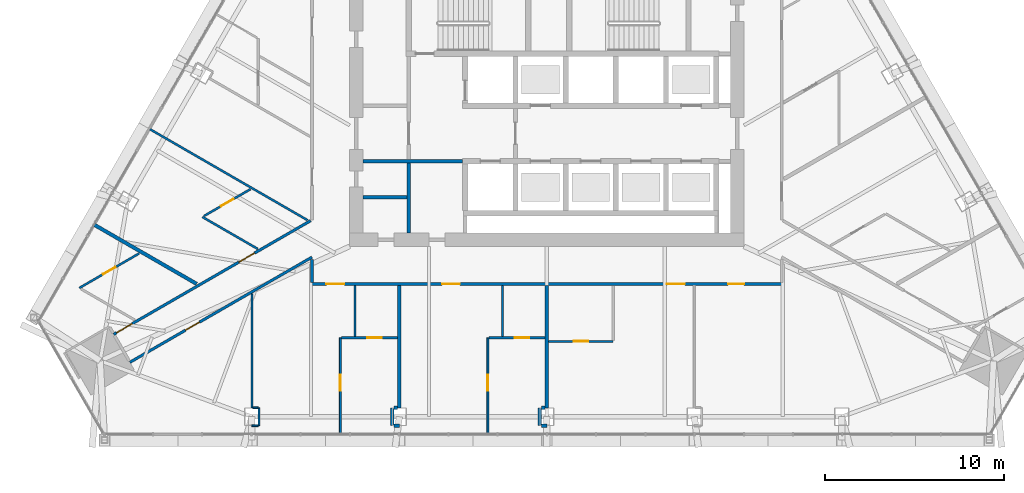
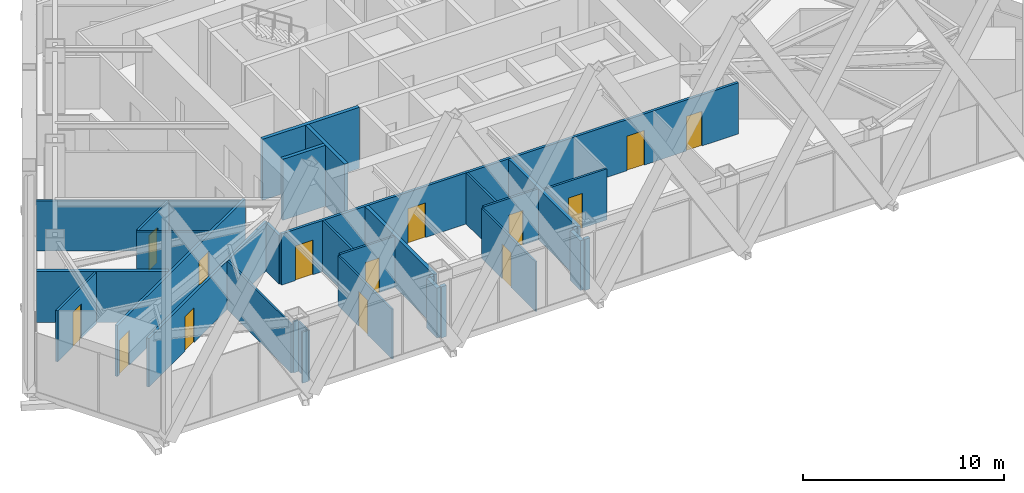
# One storey, part 13 of 19: 31 walls, 14 doors, 14 openings.
"""IFC4 building model written with IfcOpenShell, lengths in metres."""

from ifc_helpers import new_model, si_unit, direction, frame, frame_2d, origin, place, context, subcontext, project, spatial, rectangle, extrude, material, layer, layer_set, type_object, element, fill, save


model = new_model("IFC4")

# Units and contexts
model_context = context("Model", 3, precision=1e-05, world=origin(), true_north=direction((0.0, 1.0)))
body_context = subcontext(model_context, "Body", "Model", "MODEL_VIEW")
ifc_project = project(units=[si_unit("LENGTHUNIT", "METRE"), si_unit("AREAUNIT", "SQUARE_METRE"), si_unit("VOLUMEUNIT", "CUBIC_METRE"), si_unit("PLANEANGLEUNIT", "RADIAN"), si_unit("MASSUNIT", "GRAM", prefix="KILO")], contexts=[model_context])

# Site, building, storey
site_placement = place(None, origin())
site = spatial("IfcSite", under=ifc_project, at=site_placement, CompositionType="ELEMENT")
building_placement = place(site_placement, origin())
building = spatial("IfcBuilding", under=site, at=building_placement, Name="Firuza Gate Tower and Library", CompositionType="ELEMENT")
storey_placement = place(building_placement, frame((0.0, 0.0, 233.800048828125)))
storey = spatial("IfcBuildingStorey", under=building, at=storey_placement, Name="L55", CompositionType="ELEMENT", Elevation=233.800048828125)

# Walls
ifc_material_1 = material(Name="Plasterboard on steel studs", Category="steel")
ifc_layer_1 = layer(ifc_material_1, 0.199951171875)
ifc_layer_set_1 = layer_set([ifc_layer_1], Name="Core partition 200 EI 120")
wall_type_1 = type_object("IfcWallType", Name="Core partition 200 EI 120", PredefinedType="PARTITIONING", material=ifc_layer_set_1)
wall_1_placement = place(storey_placement, frame((64.75, 71.75, 0.0), z_axis=(0.0, 0.0, 1.0), x_axis=(1.0, 0.0, 0.0)))
element("IfcWall", 1, at=wall_1_placement, inside=storey, type_object=wall_type_1, Name="Core partition L55 2", PredefinedType="PARTITIONING", context=body_context, shape_type="SweptSolid", body=[
    extrude(rectangle(XDim=5.550048828125, YDim=0.199951171875, at=frame_2d((2.77490234375, 0.0))), origin(), (0.0, 0.0, 1.0), 3.699951171875),
])
wall_2_placement = place(storey_placement, frame((67.300048828125, 67.75, 0.0), z_axis=(0.0, 0.0, 1.0), x_axis=(0.0, 1.0, 0.0)))
element("IfcWall", 2, at=wall_2_placement, inside=storey, type_object=wall_type_1, Name="Core partition L55 7", PredefinedType="PARTITIONING", context=body_context, shape_type="SweptSolid", body=[
    extrude(rectangle(XDim=3.89990234375, YDim=0.199951171875, at=frame_2d((1.949951171875, 0.0))), origin(), (0.0, 0.0, 1.0), 3.699951171875),
])
ifc_material_2 = material(Name="Plasterboard on steel studs", Category="steel")
ifc_layer_2 = layer(ifc_material_2, 0.199951171875)
ifc_layer_set_2 = layer_set([ifc_layer_2], Name="Core partition 200 EI 60")
wall_type_2 = type_object("IfcWallType", Name="Core partition 200 EI 60", PredefinedType="PARTITIONING", material=ifc_layer_set_2)
wall_3_placement = place(storey_placement, frame((64.75, 69.75, 0.0), z_axis=(0.0, 0.0, 1.0), x_axis=(1.0, 0.0, 0.0)))
element("IfcWall", 3, at=wall_3_placement, inside=storey, type_object=wall_type_2, Name="Core partition L55 1", PredefinedType="PARTITIONING", context=body_context, shape_type="SweptSolid", body=[
    extrude(rectangle(XDim=2.449951171875, YDim=0.199951171875, at=frame_2d((1.22509765625, 0.0))), origin(), (0.0, 0.0, 1.0), 3.699951171875),
])

# Wall, openings, doors
ifc_material_3 = material(Name="Gypsum board partition")
ifc_layer_3 = layer(ifc_material_3, 0.14990234375)
ifc_layer_set_3 = layer_set([ifc_layer_3], Name="Corridor wall 150 double board on steel studs")
wall_type_3 = type_object("IfcWallType", Name="Corridor wall 150 double board on steel studs", PredefinedType="PARTITIONING", material=ifc_layer_set_3)
wall_4_placement = place(storey_placement, frame((88.099365234375, 64.89990234375, 0.0), z_axis=(0.0, 0.0, 1.0), x_axis=(-1.0, 0.0, 0.0)))
wall_4 = element("IfcWall", 4, at=wall_4_placement, inside=storey, type_object=wall_type_3, Name="f:L55:w011", PredefinedType="PARTITIONING", context=body_context, shape_type="SweptSolid", body=[
    extrude(rectangle(XDim=26.199462890625, YDim=0.14990234375, at=frame_2d((13.099609375, 0.0))), origin(), (0.0, 0.0, 1.0), 3.099853515625),
])
opening_1_placement = place(wall_4_placement, frame((2.08837890625, 0.0, 0.0)))
opening_1 = element("IfcOpeningElement", 5, at=opening_1_placement, cuts=wall_4, Name="Opening L55-04", PredefinedType="OPENING", context=body_context, shape_type="SweptSolid", body=[
    extrude(rectangle(XDim=0.89990234375, YDim=2.10009765625, at=frame_2d((0.449951171875, 1.050048828125))), frame((0.0, 0.0849609375, 0.0), z_axis=(0.0, -1.0, 0.0), x_axis=(1.0, 0.0, 0.0)), (0.0, 0.0, 1.0), 0.169921875),
])
opening_2_placement = place(wall_4_placement, frame((5.400390625, 0.0, 0.0)))
opening_2 = element("IfcOpeningElement", 6, at=opening_2_placement, cuts=wall_4, Name="Opening L55-05", PredefinedType="OPENING", context=body_context, shape_type="SweptSolid", body=[
    extrude(rectangle(XDim=1.0, YDim=2.10009765625, at=frame_2d((0.5, 1.050048828125))), frame((0.0, 0.0849609375, 0.0), z_axis=(0.0, -1.0, 0.0), x_axis=(1.0, 0.0, 0.0)), (0.0, 0.0, 1.0), 0.169921875),
])
opening_3_placement = place(wall_4_placement, frame((17.946044921875, 0.0, 0.0)))
opening_3 = element("IfcOpeningElement", 7, at=opening_3_placement, cuts=wall_4, Name="Opening L55-06", PredefinedType="OPENING", context=body_context, shape_type="SweptSolid", body=[
    extrude(rectangle(XDim=1.0, YDim=2.10009765625, at=frame_2d((0.5, 1.050048828125))), frame((0.0, 0.0849609375, 0.0), z_axis=(0.0, -1.0, 0.0), x_axis=(1.0, 0.0, 0.0)), (0.0, 0.0, 1.0), 0.169921875),
])
opening_4_placement = place(wall_4_placement, frame((24.39453125, 0.0, 0.0)))
opening_4 = element("IfcOpeningElement", 8, at=opening_4_placement, cuts=wall_4, Name="Opening L55-07", PredefinedType="OPENING", context=body_context, shape_type="SweptSolid", body=[
    extrude(rectangle(XDim=1.0, YDim=2.10009765625, at=frame_2d((0.5, 1.050048828125))), frame((0.0, 0.0849609375, 0.0), z_axis=(0.0, -1.0, 0.0), x_axis=(1.0, 0.0, 0.0)), (0.0, 0.0, 1.0), 0.169921875),
])
ifc_material_4 = material(Name="Steel door and timber leaf", Category="steel")
door_type_1 = type_object("IfcDoorType", Name="Fire door 1000 x 2100 steel frame, timber leaf", OperationType="NOTDEFINED", PredefinedType="DOOR", material=ifc_material_4)
door_1_placement = place(opening_2_placement, origin())
door_1 = element("IfcDoor", 9, at=door_1_placement, inside=storey, type_object=door_type_1, Name="f:L55:d005", OperationType="SINGLE_SWING_LEFT", OverallHeight=2.10009765625, OverallWidth=1.0, PredefinedType="DOOR", context=body_context, shape_type="SweptSolid", body=[
    extrude(rectangle(XDim=1.0, YDim=2.10009765625, at=frame_2d((0.5, 1.050048828125))), frame((0.0, 0.02490234375, 0.0), z_axis=(0.0, -1.0, 0.0), x_axis=(1.0, 0.0, 0.0)), (0.0, 0.0, 1.0), 0.050048828125),
])
fill(opening_2, door_1)
door_2_placement = place(opening_3_placement, origin())
door_2 = element("IfcDoor", 10, at=door_2_placement, inside=storey, type_object=door_type_1, Name="f:L55:d006", OperationType="SINGLE_SWING_RIGHT", OverallHeight=2.10009765625, OverallWidth=1.0, PredefinedType="DOOR", context=body_context, shape_type="SweptSolid", body=[
    extrude(rectangle(XDim=1.0, YDim=2.10009765625, at=frame_2d((0.5, 1.050048828125))), frame((0.0, 0.02490234375, 0.0), z_axis=(0.0, -1.0, 0.0), x_axis=(1.0, 0.0, 0.0)), (0.0, 0.0, 1.0), 0.050048828125),
])
fill(opening_3, door_2)
door_3_placement = place(opening_4_placement, origin())
door_3 = element("IfcDoor", 11, at=door_3_placement, inside=storey, type_object=door_type_1, Name="f:L55:d007", OperationType="SINGLE_SWING_LEFT", OverallHeight=2.10009765625, OverallWidth=1.0, PredefinedType="DOOR", context=body_context, shape_type="SweptSolid", body=[
    extrude(rectangle(XDim=1.0, YDim=2.10009765625, at=frame_2d((0.5, 1.050048828125))), frame((0.0, 0.02490234375, 0.0), z_axis=(0.0, -1.0, 0.0), x_axis=(1.0, 0.0, 0.0)), (0.0, 0.0, 1.0), 0.050048828125),
])
fill(opening_4, door_3)
ifc_material_5 = material(Name="Steel door and timber leaf", Category="steel")
door_type_2 = type_object("IfcDoorType", Name="Fire door 900 x 2100 steel frame, timber leaf", OperationType="NOTDEFINED", PredefinedType="DOOR", material=ifc_material_5)
door_4_placement = place(opening_1_placement, origin())
door_4 = element("IfcDoor", 12, at=door_4_placement, inside=storey, type_object=door_type_2, Name="f:L55:d004", OperationType="SINGLE_SWING_LEFT", OverallHeight=2.10009765625, OverallWidth=0.89990234375, PredefinedType="DOOR", context=body_context, shape_type="SweptSolid", body=[
    extrude(rectangle(XDim=0.89990234375, YDim=2.10009765625, at=frame_2d((0.449951171875, 1.050048828125))), frame((0.0, 0.02490234375, 0.0), z_axis=(0.0, -1.0, 0.0), x_axis=(1.0, 0.0, 0.0)), (0.0, 0.0, 1.0), 0.050048828125),
])
fill(opening_1, door_4)

# Wall, opening, door
wall_5_placement = place(storey_placement, frame((61.89990234375, 66.3974609375, 0.0), z_axis=(0.0, 0.0, 1.0), x_axis=(-0.866028172479, -0.49999520445, 0.0)))
wall_5 = element("IfcWall", 13, at=wall_5_placement, inside=storey, type_object=wall_type_3, Name="f:L55:w025", PredefinedType="PARTITIONING", context=body_context, shape_type="SweptSolid", body=[
    extrude(rectangle(XDim=11.7255859375, YDim=0.14990234375, at=frame_2d((5.86279296875, 0.0))), origin(), (0.0, 0.0, 1.0), 2.947021484375),
])
opening_5_placement = place(wall_5_placement, frame((7.24609375, 0.0, 0.0)))
opening_5 = element("IfcOpeningElement", 14, at=opening_5_placement, cuts=wall_5, Name="Opening L55-16", PredefinedType="OPENING", context=body_context, shape_type="SweptSolid", body=[
    extrude(rectangle(XDim=0.89990234375, YDim=2.10009765625, at=frame_2d((0.449951171875, 1.050048828125))), frame((0.0, 0.0849609375, 0.0), z_axis=(0.0, -1.0, 0.0), x_axis=(1.0, 0.0, 0.0)), (0.0, 0.0, 1.0), 0.169921875),
])
door_5_placement = place(opening_5_placement, origin())
door_5 = element("IfcDoor", 15, at=door_5_placement, inside=storey, type_object=door_type_2, Name="f:L55:d016", OperationType="SINGLE_SWING_RIGHT", OverallHeight=2.10009765625, OverallWidth=0.89990234375, PredefinedType="DOOR", context=body_context, shape_type="SweptSolid", body=[
    extrude(rectangle(XDim=0.89990234375, YDim=2.10009765625, at=frame_2d((0.449951171875, 1.050048828125))), frame((0.0, 0.02490234375, 0.0), z_axis=(0.0, -1.0, 0.0), x_axis=(1.0, 0.0, 0.0)), (0.0, 0.0, 1.0), 0.050048828125),
])
fill(opening_5, door_5)

# Wall, openings, doors
wall_6_placement = place(storey_placement, frame((50.844482421875, 62.09326171875, 0.0), z_axis=(0.0, 0.0, 1.0), x_axis=(0.866032955338, 0.499986920098, 0.0)))
wall_6 = element("IfcWall", 16, at=wall_6_placement, inside=storey, type_object=wall_type_3, Name="f:L55:w026", PredefinedType="PARTITIONING", context=body_context, shape_type="SweptSolid", body=[
    extrude(rectangle(XDim=12.678955078125, YDim=0.14990234375, at=frame_2d((6.33935546875, 0.0))), origin(), (0.0, 0.0, 1.0), 3.099853515625),
])
opening_6_placement = place(wall_6_placement, frame((0.174560546875, 0.0, 0.0)))
opening_6 = element("IfcOpeningElement", 17, at=opening_6_placement, cuts=wall_6, Name="Opening L55-17", PredefinedType="OPENING", context=body_context, shape_type="SweptSolid", body=[
    extrude(rectangle(XDim=1.0, YDim=2.10009765625, at=frame_2d((0.5, 1.050048828125))), frame((0.0, 0.0849609375, 0.0), z_axis=(0.0, -1.0, 0.0), x_axis=(1.0, 0.0, 0.0)), (0.0, 0.0, 1.0), 0.169921875),
])
opening_7_placement = place(wall_6_placement, frame((8.062744140625, 0.0, 0.0)))
opening_7 = element("IfcOpeningElement", 18, at=opening_7_placement, cuts=wall_6, Name="Opening L55-18", PredefinedType="OPENING", context=body_context, shape_type="SweptSolid", body=[
    extrude(rectangle(XDim=1.0, YDim=2.10009765625, at=frame_2d((0.5, 1.050048828125))), frame((0.0, 0.0849609375, 0.0), z_axis=(0.0, -1.0, 0.0), x_axis=(1.0, 0.0, 0.0)), (0.0, 0.0, 1.0), 0.169921875),
])
door_6_placement = place(opening_6_placement, origin())
door_6 = element("IfcDoor", 19, at=door_6_placement, inside=storey, type_object=door_type_1, Name="f:L55:d017", OperationType="SINGLE_SWING_LEFT", OverallHeight=2.10009765625, OverallWidth=1.0, PredefinedType="DOOR", context=body_context, shape_type="SweptSolid", body=[
    extrude(rectangle(XDim=1.0, YDim=2.10009765625, at=frame_2d((0.5, 1.050048828125))), frame((0.0, 0.02490234375, 0.0), z_axis=(0.0, -1.0, 0.0), x_axis=(1.0, 0.0, 0.0)), (0.0, 0.0, 1.0), 0.050048828125),
])
fill(opening_6, door_6)
door_7_placement = place(opening_7_placement, origin())
door_7 = element("IfcDoor", 20, at=door_7_placement, inside=storey, type_object=door_type_1, Name="f:L55:d018", OperationType="SINGLE_SWING_LEFT", OverallHeight=2.10009765625, OverallWidth=1.0, PredefinedType="DOOR", context=body_context, shape_type="SweptSolid", body=[
    extrude(rectangle(XDim=1.0, YDim=2.10009765625, at=frame_2d((0.5, 1.050048828125))), frame((0.0, 0.02490234375, 0.0), z_axis=(0.0, -1.0, 0.0), x_axis=(1.0, 0.0, 0.0)), (0.0, 0.0, 1.0), 0.050048828125),
])
fill(opening_7, door_7)

# Walls
wall_7_placement = place(storey_placement, frame((61.89990234375, 64.97509765625, 0.0), z_axis=(0.0, 0.0, 1.0), x_axis=(0.0, 1.0, 0.0)))
element("IfcWall", 21, at=wall_7_placement, inside=storey, type_object=wall_type_3, Name="f:L55:w065", PredefinedType="PARTITIONING", context=body_context, shape_type="SweptSolid", body=[
    extrude(rectangle(XDim=1.285888671875, YDim=0.14990234375, at=frame_2d((0.64306640625, 0.0))), origin(), (0.0, 0.0, 1.0), 2.947021484375),
])
ifc_material_6 = material(Name="Gypsum board partition")
ifc_layer_4 = layer(ifc_material_6, 0.199951171875)
ifc_layer_set_4 = layer_set([ifc_layer_4], Name="Demising wall 200 acoustic double stud")
wall_type_4 = type_object("IfcWallType", Name="Demising wall 200 acoustic double stud", PredefinedType="PARTITIONING", material=ifc_layer_set_4)
for number, where, z_axis, x_axis, name in (
    (22, (66.474853515625, 56.99609375, 0.0), (0.0, 0.0, 1.0), (1.0, 0.0, 0.0), "f:L55:w001"),
    (23, (74.700439453125, 56.99609375, 0.0), (0.0, 0.0, 1.0), (1.0, 0.0, 0.0), "f:L55:w002"),
):
    element("IfcWall", number, at=place(storey_placement, frame(where, z_axis=z_axis, x_axis=x_axis)), inside=storey, type_object=wall_type_4, Name=name, PredefinedType="PARTITIONING", context=body_context, shape_type="SweptSolid", body=[
        extrude(rectangle(XDim=0.299072265625, YDim=0.199951171875, at=frame_2d((0.1494140625, 0.0))), origin(), (0.0, 0.0, 1.0), 3.099853515625),
    ])
wall_8_placement = place(storey_placement, frame((66.474853515625, 57.99609375, 0.0), z_axis=(0.0, 0.0, 1.0), x_axis=(1.0, 0.0, 0.0)))
element("IfcWall", 24, at=wall_8_placement, inside=storey, type_object=wall_type_4, Name="f:L55:w005", PredefinedType="PARTITIONING", context=body_context, shape_type="SweptSolid", body=[
    extrude(rectangle(XDim=0.19921875, YDim=0.199951171875, at=frame_2d((0.099609375, 0.0))), origin(), (0.0, 0.0, 1.0), 3.099853515625),
])
wall_9_placement = place(storey_placement, frame((74.700439453125, 57.99609375, 0.0), z_axis=(0.0, 0.0, 1.0), x_axis=(1.0, 0.0, 0.0)))
element("IfcWall", 25, at=wall_9_placement, inside=storey, type_object=wall_type_4, Name="f:L55:w006", PredefinedType="PARTITIONING", context=body_context, shape_type="SweptSolid", body=[
    extrude(rectangle(XDim=0.198974609375, YDim=0.199951171875, at=frame_2d((0.099609375, 0.0))), origin(), (0.0, 0.0, 1.0), 3.099853515625),
])
wall_10_placement = place(storey_placement, frame((75.0, 57.99658203125, 0.0), z_axis=(0.0, 0.0, 1.0), x_axis=(0.0, 1.0, 0.0)))
element("IfcWall", 26, at=wall_10_placement, inside=storey, type_object=wall_type_4, Name="f:L55:w050", PredefinedType="PARTITIONING", context=body_context, shape_type="SweptSolid", body=[
    extrude(rectangle(XDim=6.828369140625, YDim=0.199951171875, at=frame_2d((3.4140625, 0.0))), origin(), (0.0, 0.0, 1.0), 3.099853515625),
])
wall_11_placement = place(storey_placement, frame((74.60009765625, 56.99658203125, 0.0), z_axis=(0.0, 0.0, 1.0), x_axis=(0.0, 1.0, 0.0)))
element("IfcWall", 27, at=wall_11_placement, inside=storey, type_object=wall_type_4, Name="f:L55:w051", PredefinedType="PARTITIONING", context=body_context, shape_type="SweptSolid", body=[
    extrude(rectangle(XDim=0.9990234375, YDim=0.199951171875, at=frame_2d((0.49951171875, 0.0))), origin(), (0.0, 0.0, 1.0), 3.02197265625),
])
wall_12_placement = place(storey_placement, frame((66.77392578125, 57.99658203125, 0.0), z_axis=(0.0, 0.0, 1.0), x_axis=(0.0, 1.0, 0.0)))
element("IfcWall", 28, at=wall_12_placement, inside=storey, type_object=wall_type_4, Name="f:L55:w058", PredefinedType="PARTITIONING", context=body_context, shape_type="SweptSolid", body=[
    extrude(rectangle(XDim=6.828369140625, YDim=0.199951171875, at=frame_2d((3.4140625, 0.0))), origin(), (0.0, 0.0, 1.0), 3.099853515625),
])
wall_13_placement = place(storey_placement, frame((66.3740234375, 56.99658203125, 0.0), z_axis=(0.0, 0.0, 1.0), x_axis=(0.0, 1.0, 0.0)))
element("IfcWall", 29, at=wall_13_placement, inside=storey, type_object=wall_type_4, Name="f:L55:w061", PredefinedType="PARTITIONING", context=body_context, shape_type="SweptSolid", body=[
    extrude(rectangle(XDim=0.9990234375, YDim=0.199951171875, at=frame_2d((0.49951171875, 0.0))), origin(), (0.0, 0.0, 1.0), 3.02197265625),
])
wall_14_placement = place(storey_placement, frame((55.46533203125, 64.9072265625, 0.0), z_axis=(0.0, 0.0, 1.0), x_axis=(-0.866024015056, 0.50000240534, 0.0)))
element("IfcWall", 30, at=wall_14_placement, inside=storey, type_object=wall_type_4, Name="f:L55:w093", PredefinedType="PARTITIONING", context=body_context, shape_type="SweptSolid", body=[
    extrude(rectangle(XDim=6.5927734375, YDim=0.199951171875, at=frame_2d((3.29638671875, 0.0))), origin(), (0.0, 0.0, 1.0), 3.099853515625),
])
ifc_material_7 = material(Name="Gypsum board partition")
ifc_layer_5 = layer(ifc_material_7, 0.10009765625)
ifc_layer_set_5 = layer_set([ifc_layer_5], Name="Partition 100 gypsum board on steel studs")
wall_type_5 = type_object("IfcWallType", Name="Partition 100 gypsum board on steel studs", PredefinedType="PARTITIONING", material=ifc_layer_set_5)
wall_15_placement = place(storey_placement, frame((58.548828125, 56.99609375, 0.0), z_axis=(0.0, 0.0, 1.0), x_axis=(1.0, 0.0, 0.0)))
element("IfcWall", 31, at=wall_15_placement, inside=storey, type_object=wall_type_5, Name="f:L55:w000", PredefinedType="PARTITIONING", context=body_context, shape_type="SweptSolid", body=[
    extrude(rectangle(XDim=0.35009765625, YDim=0.10009765625, at=frame_2d((0.175048828125, 0.0))), origin(), (0.0, 0.0, 1.0), 3.099853515625),
])
wall_16_placement = place(storey_placement, frame((58.60888671875, 57.99609375, 0.0), z_axis=(0.0, 0.0, 1.0), x_axis=(1.0, 0.0, 0.0)))
element("IfcWall", 32, at=wall_16_placement, inside=storey, type_object=wall_type_5, Name="f:L55:w004", PredefinedType="PARTITIONING", context=body_context, shape_type="SweptSolid", body=[
    extrude(rectangle(XDim=0.2900390625, YDim=0.10009765625, at=frame_2d((0.14501953125, 0.0))), origin(), (0.0, 0.0, 1.0), 3.099853515625),
])

# Wall, opening, door
wall_17_placement = place(storey_placement, frame((71.7099609375, 61.89990234375, 0.0), z_axis=(0.0, 0.0, 1.0), x_axis=(0.0, -1.0, 0.0)))
wall_17 = element("IfcWall", 33, at=wall_17_placement, inside=storey, type_object=wall_type_5, Name="f:L55:w054", PredefinedType="PARTITIONING", context=body_context, shape_type="SweptSolid", body=[
    extrude(rectangle(XDim=5.36376953125, YDim=0.10009765625, at=frame_2d((2.681884765625, 0.0))), origin(), (0.0, 0.0, 1.0), 3.02197265625),
])
opening_8_placement = place(wall_17_placement, frame((2.052001953125, 0.0, 0.0)))
opening_8 = element("IfcOpeningElement", 34, at=opening_8_placement, cuts=wall_17, Name="Opening L55-27", PredefinedType="OPENING", context=body_context, shape_type="SweptSolid", body=[
    extrude(rectangle(XDim=0.89990234375, YDim=2.10009765625, at=frame_2d((0.449951171875, 1.050048828125))), frame((0.0, 0.06005859375, 0.0), z_axis=(0.0, -1.0, 0.0), x_axis=(1.0, 0.0, 0.0)), (0.0, 0.0, 1.0), 0.1201171875),
])
ifc_material_8 = material(Name="Timber door", Category="wood")
door_type_3 = type_object("IfcDoorType", Name="Door 900 x 2100 timber leaf", OperationType="NOTDEFINED", PredefinedType="DOOR", material=ifc_material_8)
door_8_placement = place(opening_8_placement, origin())
door_8 = element("IfcDoor", 35, at=door_8_placement, inside=storey, type_object=door_type_3, Name="f:L55:d027", OperationType="SINGLE_SWING_LEFT", OverallHeight=2.10009765625, OverallWidth=0.89990234375, PredefinedType="DOOR", context=body_context, shape_type="SweptSolid", body=[
    extrude(rectangle(XDim=0.89990234375, YDim=2.10009765625, at=frame_2d((0.449951171875, 1.050048828125))), frame((0.0, 0.02490234375, 0.0), z_axis=(0.0, -1.0, 0.0), x_axis=(1.0, 0.0, 0.0)), (0.0, 0.0, 1.0), 0.050048828125),
])
fill(opening_8, door_8)

wall_18_placement = place(storey_placement, frame((63.48388671875, 61.89990234375, 0.0), z_axis=(0.0, 0.0, 1.0), x_axis=(0.0, -1.0, 0.0)))
wall_18 = element("IfcWall", 36, at=wall_18_placement, inside=storey, type_object=wall_type_5, Name="f:L55:w064", PredefinedType="PARTITIONING", context=body_context, shape_type="SweptSolid", body=[
    extrude(rectangle(XDim=5.36376953125, YDim=0.10009765625, at=frame_2d((2.681884765625, 0.0))), origin(), (0.0, 0.0, 1.0), 3.02197265625),
])
opening_9_placement = place(wall_18_placement, frame((2.052001953125, 0.0, 0.0)))
opening_9 = element("IfcOpeningElement", 37, at=opening_9_placement, cuts=wall_18, Name="Opening L55-31", PredefinedType="OPENING", context=body_context, shape_type="SweptSolid", body=[
    extrude(rectangle(XDim=0.89990234375, YDim=2.10009765625, at=frame_2d((0.449951171875, 1.050048828125))), frame((0.0, 0.06005859375, 0.0), z_axis=(0.0, -1.0, 0.0), x_axis=(1.0, 0.0, 0.0)), (0.0, 0.0, 1.0), 0.1201171875),
])
door_9_placement = place(opening_9_placement, origin())
door_9 = element("IfcDoor", 38, at=door_9_placement, inside=storey, type_object=door_type_3, Name="f:L55:d031", OperationType="SINGLE_SWING_RIGHT", OverallHeight=2.10009765625, OverallWidth=0.89990234375, PredefinedType="DOOR", context=body_context, shape_type="SweptSolid", body=[
    extrude(rectangle(XDim=0.89990234375, YDim=2.10009765625, at=frame_2d((0.449951171875, 1.050048828125))), frame((0.0, 0.02490234375, 0.0), z_axis=(0.0, -1.0, 0.0), x_axis=(1.0, 0.0, 0.0)), (0.0, 0.0, 1.0), 0.050048828125),
])
fill(opening_9, door_9)

# Walls
wall_19_placement = place(storey_placement, frame((58.948974609375, 56.99609375, 0.0), z_axis=(0.0, 0.0, 1.0), x_axis=(0.0, 1.0, 0.0)))
element("IfcWall", 39, at=wall_19_placement, inside=storey, type_object=wall_type_5, Name="f:L55:w067", PredefinedType="PARTITIONING", context=body_context, shape_type="SweptSolid", body=[
    extrude(rectangle(XDim=1.0, YDim=0.10009765625, at=frame_2d((0.5, 0.0))), origin(), (0.0, 0.0, 1.0), 3.02197265625),
])
wall_20_placement = place(storey_placement, frame((58.549072265625, 57.99609375, 0.0), z_axis=(0.0, 0.0, 1.0), x_axis=(0.0, 1.0, 0.0)))
element("IfcWall", 40, at=wall_20_placement, inside=storey, type_object=wall_type_5, Name="f:L55:w069", PredefinedType="PARTITIONING", context=body_context, shape_type="SweptSolid", body=[
    extrude(rectangle(XDim=6.35009765625, YDim=0.10009765625, at=frame_2d((3.175048828125, 0.0))), origin(), (0.0, 0.0, 1.0), 2.947021484375),
])

# Wall, opening, door
ifc_material_9 = material(Name="Gypsum board partition")
ifc_layer_6 = layer(ifc_material_9, 0.1201171875)
ifc_layer_set_6 = layer_set([ifc_layer_6], Name="Wet-area partition 120 moisture-resistant board")
wall_type_6 = type_object("IfcWallType", Name="Wet-area partition 120 moisture-resistant board", PredefinedType="PARTITIONING", material=ifc_layer_set_6)
wall_21_placement = place(storey_placement, frame((75.10009765625, 61.699951171875, 0.0), z_axis=(0.0, 0.0, 1.0), x_axis=(1.0, 0.0, 0.0)))
wall_21 = element("IfcWall", 41, at=wall_21_placement, inside=storey, type_object=wall_type_6, Name="f:L55:w008", PredefinedType="PARTITIONING", context=body_context, shape_type="SweptSolid", body=[
    extrude(rectangle(XDim=3.601318359375, YDim=0.1201171875, at=frame_2d((1.80078125, 0.0))), origin(), (0.0, 0.0, 1.0), 3.099853515625),
])
opening_10_placement = place(wall_21_placement, frame((1.400634765625, 0.0, 0.0)))
opening_10 = element("IfcOpeningElement", 42, at=opening_10_placement, cuts=wall_21, Name="Opening L55-01", PredefinedType="OPENING", context=body_context, shape_type="SweptSolid", body=[
    extrude(rectangle(XDim=0.800048828125, YDim=2.10009765625, at=frame_2d((0.39990234375, 1.050048828125))), frame((0.0, 0.070068359375, 0.0), z_axis=(0.0, -1.0, 0.0), x_axis=(1.0, 0.0, 0.0)), (0.0, 0.0, 1.0), 0.14013671875),
])
ifc_material_10 = material(Name="Timber door", Category="wood")
door_type_4 = type_object("IfcDoorType", Name="Door 800 x 2100 timber leaf", OperationType="NOTDEFINED", PredefinedType="DOOR", material=ifc_material_10)
door_10_placement = place(opening_10_placement, origin())
door_10 = element("IfcDoor", 43, at=door_10_placement, inside=storey, type_object=door_type_4, Name="f:L55:d001", OperationType="SINGLE_SWING_LEFT", OverallHeight=2.10009765625, OverallWidth=0.800048828125, PredefinedType="DOOR", context=body_context, shape_type="SweptSolid", body=[
    extrude(rectangle(XDim=0.800048828125, YDim=2.10009765625, at=frame_2d((0.39990234375, 1.050048828125))), frame((0.0, 0.02490234375, 0.0), z_axis=(0.0, -1.0, 0.0), x_axis=(1.0, 0.0, 0.0)), (0.0, 0.0, 1.0), 0.050048828125),
])
fill(opening_10, door_10)

wall_22_placement = place(storey_placement, frame((63.5341796875, 61.89990234375, 0.0), z_axis=(0.0, 0.0, 1.0), x_axis=(1.0, 0.0, 0.0)))
wall_22 = element("IfcWall", 44, at=wall_22_placement, inside=storey, type_object=wall_type_6, Name="f:L55:w009", PredefinedType="PARTITIONING", context=body_context, shape_type="SweptSolid", body=[
    extrude(rectangle(XDim=3.13037109375, YDim=0.1201171875, at=frame_2d((1.565185546875, 0.0))), origin(), (0.0, 0.0, 1.0), 3.099853515625),
])
opening_11_placement = place(wall_22_placement, frame((1.451416015625, 0.0, 0.0)))
opening_11 = element("IfcOpeningElement", 45, at=opening_11_placement, cuts=wall_22, Name="Opening L55-02", PredefinedType="OPENING", context=body_context, shape_type="SweptSolid", body=[
    extrude(rectangle(XDim=0.800048828125, YDim=2.10009765625, at=frame_2d((0.39990234375, 1.050048828125))), frame((0.0, 0.070068359375, 0.0), z_axis=(0.0, -1.0, 0.0), x_axis=(1.0, 0.0, 0.0)), (0.0, 0.0, 1.0), 0.14013671875),
])
door_11_placement = place(opening_11_placement, origin())
door_11 = element("IfcDoor", 46, at=door_11_placement, inside=storey, type_object=door_type_4, Name="f:L55:d002", OperationType="SINGLE_SWING_RIGHT", OverallHeight=2.10009765625, OverallWidth=0.800048828125, PredefinedType="DOOR", context=body_context, shape_type="SweptSolid", body=[
    extrude(rectangle(XDim=0.800048828125, YDim=2.10009765625, at=frame_2d((0.39990234375, 1.050048828125))), frame((0.0, 0.02490234375, 0.0), z_axis=(0.0, -1.0, 0.0), x_axis=(1.0, 0.0, 0.0)), (0.0, 0.0, 1.0), 0.050048828125),
])
fill(opening_11, door_11)

wall_23_placement = place(storey_placement, frame((71.769775390625, 61.89990234375, 0.0), z_axis=(0.0, 0.0, 1.0), x_axis=(1.0, 0.0, 0.0)))
wall_23 = element("IfcWall", 47, at=wall_23_placement, inside=storey, type_object=wall_type_6, Name="f:L55:w010", PredefinedType="PARTITIONING", context=body_context, shape_type="SweptSolid", body=[
    extrude(rectangle(XDim=3.130126953125, YDim=0.1201171875, at=frame_2d((1.56494140625, 0.0))), origin(), (0.0, 0.0, 1.0), 3.099853515625),
])
opening_12_placement = place(wall_23_placement, frame((1.4462890625, 0.0, 0.0)))
opening_12 = element("IfcOpeningElement", 48, at=opening_12_placement, cuts=wall_23, Name="Opening L55-03", PredefinedType="OPENING", context=body_context, shape_type="SweptSolid", body=[
    extrude(rectangle(XDim=0.800048828125, YDim=2.10009765625, at=frame_2d((0.39990234375, 1.050048828125))), frame((0.0, 0.070068359375, 0.0), z_axis=(0.0, -1.0, 0.0), x_axis=(1.0, 0.0, 0.0)), (0.0, 0.0, 1.0), 0.14013671875),
])
door_12_placement = place(opening_12_placement, origin())
door_12 = element("IfcDoor", 49, at=door_12_placement, inside=storey, type_object=door_type_4, Name="f:L55:d003", OperationType="SINGLE_SWING_LEFT", OverallHeight=2.10009765625, OverallWidth=0.800048828125, PredefinedType="DOOR", context=body_context, shape_type="SweptSolid", body=[
    extrude(rectangle(XDim=0.800048828125, YDim=2.10009765625, at=frame_2d((0.39990234375, 1.050048828125))), frame((0.0, 0.02490234375, 0.0), z_axis=(0.0, -1.0, 0.0), x_axis=(1.0, 0.0, 0.0)), (0.0, 0.0, 1.0), 0.050048828125),
])
fill(opening_12, door_12)

wall_24_placement = place(storey_placement, frame((52.2578125, 66.604248046875, 0.0), z_axis=(0.0, 0.0, 1.0), x_axis=(-0.86601030197, -0.500026156197, 0.0)))
wall_24 = element("IfcWall", 50, at=wall_24_placement, inside=storey, type_object=wall_type_6, Name="f:L55:w028", PredefinedType="PARTITIONING", context=body_context, shape_type="SweptSolid", body=[
    extrude(rectangle(XDim=3.850341796875, YDim=0.1201171875, at=frame_2d((1.92529296875, 0.0))), origin(), (0.0, 0.0, 1.0), 3.099853515625),
])
opening_13_placement = place(wall_24_placement, frame((1.525146484375, 0.0, 0.0)))
opening_13 = element("IfcOpeningElement", 51, at=opening_13_placement, cuts=wall_24, Name="Opening L55-19", PredefinedType="OPENING", context=body_context, shape_type="SweptSolid", body=[
    extrude(rectangle(XDim=0.800048828125, YDim=2.10009765625, at=frame_2d((0.39990234375, 1.050048828125))), frame((0.0, 0.070068359375, 0.0), z_axis=(0.0, -1.0, 0.0), x_axis=(1.0, 0.0, 0.0)), (0.0, 0.0, 1.0), 0.14013671875),
])
door_13_placement = place(opening_13_placement, origin())
door_13 = element("IfcDoor", 52, at=door_13_placement, inside=storey, type_object=door_type_4, Name="f:L55:d019", OperationType="SINGLE_SWING_LEFT", OverallHeight=2.10009765625, OverallWidth=0.800048828125, PredefinedType="DOOR", context=body_context, shape_type="SweptSolid", body=[
    extrude(rectangle(XDim=0.800048828125, YDim=2.10009765625, at=frame_2d((0.39990234375, 1.050048828125))), frame((0.0, 0.02490234375, 0.0), z_axis=(0.0, -1.0, 0.0), x_axis=(1.0, 0.0, 0.0)), (0.0, 0.0, 1.0), 0.050048828125),
])
fill(opening_13, door_13)

wall_25_placement = place(storey_placement, frame((58.467041015625, 70.18896484375, 0.0), z_axis=(0.0, 0.0, 1.0), x_axis=(-0.86604676013, -0.4999630079, 0.0)))
wall_25 = element("IfcWall", 53, at=wall_25_placement, inside=storey, type_object=wall_type_6, Name="f:L55:w029", PredefinedType="PARTITIONING", context=body_context, shape_type="SweptSolid", body=[
    extrude(rectangle(XDim=2.987060546875, YDim=0.1201171875, at=frame_2d((1.49365234375, 0.0))), origin(), (0.0, 0.0, 1.0), 3.099853515625),
])
opening_14_placement = place(wall_25_placement, frame((1.093505859375, 0.0, 0.0)))
opening_14 = element("IfcOpeningElement", 54, at=opening_14_placement, cuts=wall_25, Name="Opening L55-20", PredefinedType="OPENING", context=body_context, shape_type="SweptSolid", body=[
    extrude(rectangle(XDim=0.800048828125, YDim=2.10009765625, at=frame_2d((0.39990234375, 1.050048828125))), frame((0.0, 0.070068359375, 0.0), z_axis=(0.0, -1.0, 0.0), x_axis=(1.0, 0.0, 0.0)), (0.0, 0.0, 1.0), 0.14013671875),
])
door_14_placement = place(opening_14_placement, origin())
door_14 = element("IfcDoor", 55, at=door_14_placement, inside=storey, type_object=door_type_4, Name="f:L55:d020", OperationType="SINGLE_SWING_LEFT", OverallHeight=2.10009765625, OverallWidth=0.800048828125, PredefinedType="DOOR", context=body_context, shape_type="SweptSolid", body=[
    extrude(rectangle(XDim=0.800048828125, YDim=2.10009765625, at=frame_2d((0.39990234375, 1.050048828125))), frame((0.0, 0.02490234375, 0.0), z_axis=(0.0, -1.0, 0.0), x_axis=(1.0, 0.0, 0.0)), (0.0, 0.0, 1.0), 0.050048828125),
])
fill(opening_14, door_14)

# Walls
for number, where, z_axis, x_axis, name in (
    (56, (72.531982421875, 61.9599609375, 0.0), (0.0, 0.0, 1.0), (0.0, 1.0, 0.0), "f:L55:w053"),
    (57, (64.306884765625, 61.9599609375, 0.0), (0.0, 0.0, 1.0), (0.0, 1.0, 0.0), "f:L55:w063"),
):
    element("IfcWall", number, at=place(storey_placement, frame(where, z_axis=z_axis, x_axis=x_axis)), inside=storey, type_object=wall_type_6, Name=name, PredefinedType="PARTITIONING", context=body_context, shape_type="SweptSolid", body=[
        extrude(rectangle(XDim=2.864990234375, YDim=0.1201171875, at=frame_2d((1.4326171875, 0.0))), origin(), (0.0, 0.0, 1.0), 3.099853515625),
    ])
wall_26_placement = place(storey_placement, frame((61.65234375, 68.459716796875, 0.0), z_axis=(0.0, 0.0, 1.0), x_axis=(-0.866026287368, 0.499998469586, 0.0)))
element("IfcWall", 58, at=wall_26_placement, inside=storey, type_object=wall_type_6, Name="f:L55:w091", PredefinedType="PARTITIONING", context=body_context, shape_type="SweptSolid", body=[
    extrude(rectangle(XDim=10.15771484375, YDim=0.1201171875, at=frame_2d((5.078857421875, 0.0))), origin(), (0.0, 0.0, 1.0), 3.02197265625),
])
wall_27_placement = place(storey_placement, frame((58.875732421875, 66.856201171875, 0.0), z_axis=(0.0, 0.0, 1.0), x_axis=(-0.866028357664, 0.499994883695, 0.0)))
element("IfcWall", 59, at=wall_27_placement, inside=storey, type_object=wall_type_6, Name="f:L55:w092", PredefinedType="PARTITIONING", context=body_context, shape_type="SweptSolid", body=[
    extrude(rectangle(XDim=3.568359375, YDim=0.1201171875, at=frame_2d((1.7841796875, 0.0))), origin(), (0.0, 0.0, 1.0), 3.099853515625),
])

save(model, "model.ifc")
